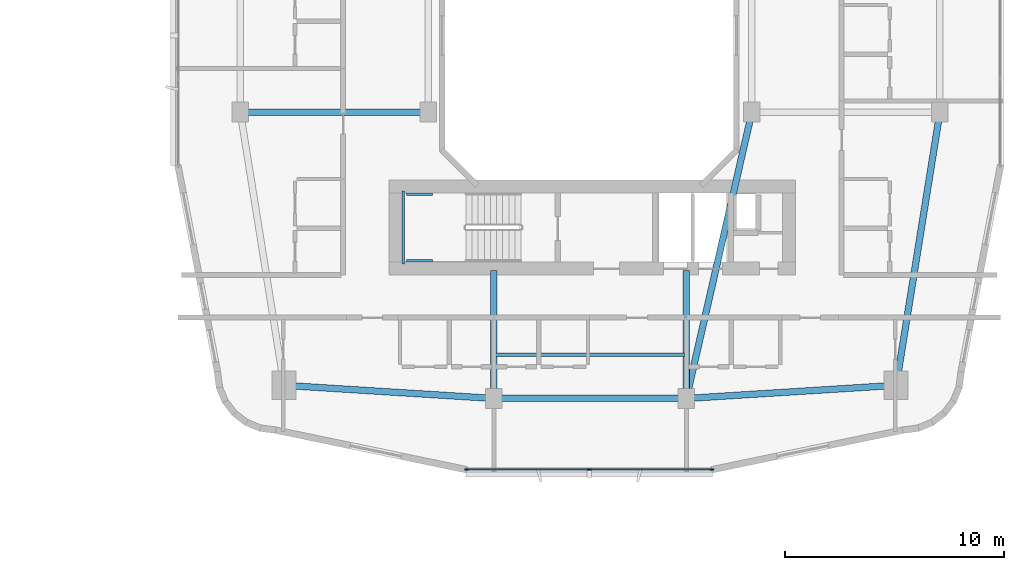
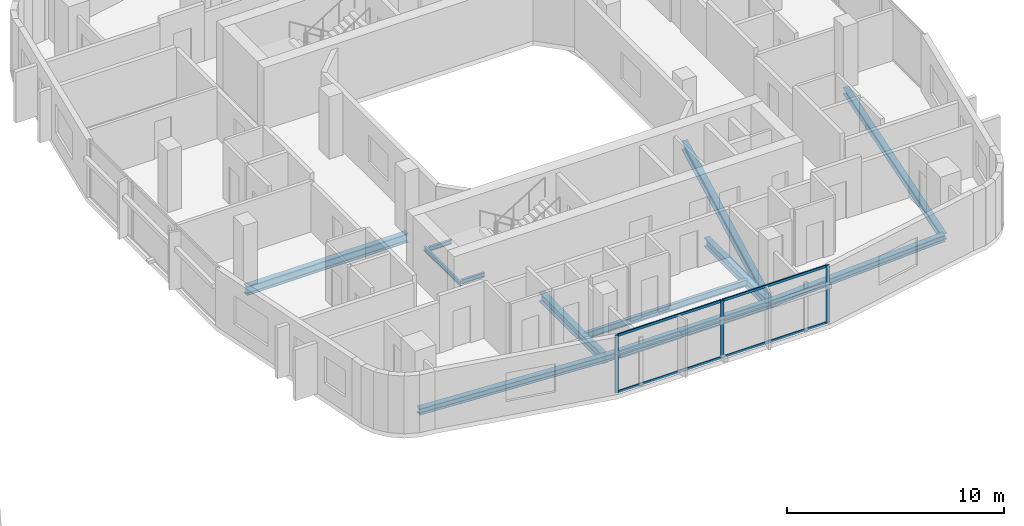
# One storey, part 8 of 27: 12 beams, 7 members, 1 element without a shape of its own.
"""IFC4 building model written with IfcOpenShell, lengths in metres."""

from ifc_helpers import new_model, si_unit, derived_unit, direction, frame, origin, origin_2d, place, context, subcontext, project, spatial, rectangle, i_section, extrude, material, layer, layer_set, material_profile, profile_set, type_object, element, aggregate, save


model = new_model("IFC4")

# Units and contexts
model_context = context("Model", 3, precision=1e-05, world=origin(), true_north=direction((0.0, 1.0)))
body_context = subcontext(model_context, "Body", "Model", "MODEL_VIEW")
ifc_project = project(units=[si_unit("LENGTHUNIT", "METRE"), si_unit("AREAUNIT", "SQUARE_METRE"), si_unit("VOLUMEUNIT", "CUBIC_METRE"), si_unit("PLANEANGLEUNIT", "RADIAN"), si_unit("MASSUNIT", "GRAM", prefix="KILO"), derived_unit("THERMALTRANSMITTANCEUNIT", [(si_unit("POWERUNIT", "WATT"), 1), (si_unit("LENGTHUNIT", "METRE"), -2), (si_unit("THERMODYNAMICTEMPERATUREUNIT", "KELVIN"), -1)])], contexts=[model_context])

# Site, building, storey
site_placement = place(None, origin())
site = spatial("IfcSite", under=ifc_project, at=site_placement, CompositionType="ELEMENT")
building_placement = place(site_placement, origin())
building = spatial("IfcBuilding", under=site, at=building_placement, Name="Kivonza Crest Hotel", CompositionType="ELEMENT")
storey_placement = place(building_placement, frame((0.0, 0.0, 38.0)))
storey = spatial("IfcBuildingStorey", under=building, at=storey_placement, Name="L09", CompositionType="ELEMENT", Elevation=38.0)

# Beams
ifc_material_1 = material(Name="Steel S355", Category="steel")
ifc_material_profile_1 = material_profile(ifc_material_1, i_section(OverallWidth=0.300048828125, OverallDepth=0.360107421875, WebThickness=0.012451171875, FlangeThickness=0.0224609375, FilletRadius=0.027099609375, at=origin_2d()), Name="HEB 360")
ifc_profile_set_1 = profile_set([ifc_material_profile_1], Name="Steel S355")
beam_type_1 = type_object("IfcBeamType", Name="BM-HEB360", PredefinedType="SPANDREL", material=ifc_profile_set_1)
beam_1_placement = place(storey_placement, frame((72.60009765625, 8.39990234375, -0.429931640625), z_axis=(1.0, 0.0, 0.0), x_axis=(0.0, 1.0, 0.0)))
element("IfcBeam", 1, at=beam_1_placement, inside=storey, type_object=beam_type_1, Name="Companion Tower T2 L09 perimeter spandrel S1-S2", PredefinedType="SPANDREL", context=body_context, shape_type="SweptSolid", body=[
    extrude(i_section(OverallWidth=0.300048828125, OverallDepth=0.360107421875, WebThickness=0.012451171875, FlangeThickness=0.0224609375, FilletRadius=0.027099609375, at=origin_2d()), origin(), (0.0, 0.0, 1.0), 8.7998046875),
])
beam_2_placement = place(storey_placement, frame((81.39990234375, 8.39990234375, -0.429931640625), z_axis=(0.998051985873, 0.062387767186, 0.0), x_axis=(-0.062387767186, 0.998051985873, 0.0)))
element("IfcBeam", 2, at=beam_2_placement, inside=storey, type_object=beam_type_1, Name="Companion Tower T2 L09 perimeter spandrel S2-SE", PredefinedType="SPANDREL", context=body_context, shape_type="SweptSolid", body=[
    extrude(i_section(OverallWidth=0.300048828125, OverallDepth=0.360107421875, WebThickness=0.012451171875, FlangeThickness=0.0224609375, FilletRadius=0.027099609375, at=origin_2d()), origin(), (0.0, 0.0, 1.0), 9.618896484375),
])
beam_3_placement = place(storey_placement, frame((91.0, 9.0, -0.429931640625), z_axis=(0.157990501107, 0.987440631917, 0.0), x_axis=(-0.987440631917, 0.157990501107, 0.0)))
element("IfcBeam", 3, at=beam_3_placement, inside=storey, type_object=beam_type_1, Name="Companion Tower T2 L09 perimeter spandrel SE-E1", PredefinedType="SPANDREL", context=body_context, shape_type="SweptSolid", body=[
    extrude(i_section(OverallWidth=0.300048828125, OverallDepth=0.360107421875, WebThickness=0.012451171875, FlangeThickness=0.0224609375, FilletRadius=0.027099609375, at=origin_2d()), origin(), (0.0, 0.0, 1.0), 12.658935546875),
])
beam_4_placement = place(storey_placement, frame((63.0, 9.0, -0.429931640625), z_axis=(0.998051985873, -0.062387767186, 0.0), x_axis=(0.062387767186, 0.998051985873, 0.0)))
element("IfcBeam", 4, at=beam_4_placement, inside=storey, type_object=beam_type_1, Name="Companion Tower T2 L09 perimeter spandrel SW-S1", PredefinedType="SPANDREL", context=body_context, shape_type="SweptSolid", body=[
    extrude(i_section(OverallWidth=0.300048828125, OverallDepth=0.360107421875, WebThickness=0.012451171875, FlangeThickness=0.0224609375, FilletRadius=0.027099609375, at=origin_2d()), origin(), (0.0, 0.0, 1.0), 9.618896484375),
])
ifc_material_profile_2 = material_profile(ifc_material_1, i_section(OverallWidth=0.300048828125, OverallDepth=0.5, WebThickness=0.014404296875, FlangeThickness=0.028076171875, FilletRadius=0.027099609375, at=origin_2d()), Name="HEB 500")
ifc_profile_set_2 = profile_set([ifc_material_profile_2], Name="Steel S355")
beam_type_2 = type_object("IfcBeamType", Name="BM-HEB500", PredefinedType="BEAM", material=ifc_profile_set_2)
beam_5_placement = place(storey_placement, frame((61.0, 21.5, -0.5), z_axis=(1.0, 0.0, 0.0), x_axis=(0.0, 1.0, 0.0)))
element("IfcBeam", 5, at=beam_5_placement, inside=storey, type_object=beam_type_2, Name="Companion Tower T2 L09 girder W1-WL1", PredefinedType="BEAM", context=body_context, shape_type="SweptSolid", body=[
    extrude(i_section(OverallWidth=0.300048828125, OverallDepth=0.5, WebThickness=0.014404296875, FlangeThickness=0.028076171875, FilletRadius=0.027099609375, at=origin_2d()), origin(), (0.0, 0.0, 1.0), 8.60009765625),
])
beam_6_placement = place(storey_placement, frame((84.39990234375, 21.5, -0.5), z_axis=(-0.223227287589, -0.974766422317, 0.0), x_axis=(0.974766422317, -0.223227287589, 0.0)))
element("IfcBeam", 6, at=beam_6_placement, inside=storey, type_object=beam_type_2, Name="Companion Tower T2 L09 girder WR1-S2", PredefinedType="BEAM", context=body_context, shape_type="SweptSolid", body=[
    extrude(i_section(OverallWidth=0.300048828125, OverallDepth=0.5, WebThickness=0.014404296875, FlangeThickness=0.028076171875, FilletRadius=0.027099609375, at=origin_2d()), origin(), (0.0, 0.0, 1.0), 13.439208984375),
])
for number, where, z_axis, x_axis, name in (
    (7, (72.60009765625, 8.39990234375, -0.5), (0.0, 1.0, 0.0), (-1.0, 0.0, 0.0), "Companion T2 L09 radial core girder RS1"),
    (8, (81.39990234375, 8.39990234375, -0.5), (0.0, 1.0, 0.0), (-1.0, 0.0, 0.0), "Companion T2 L09 radial core girder RS2"),
):
    element("IfcBeam", number, at=place(storey_placement, frame(where, z_axis=z_axis, x_axis=x_axis)), inside=storey, type_object=beam_type_2, Name=name, PredefinedType="BEAM", context=body_context, shape_type="SweptSolid", body=[
        extrude(i_section(OverallWidth=0.300048828125, OverallDepth=0.5, WebThickness=0.014404296875, FlangeThickness=0.028076171875, FilletRadius=0.027099609375, at=origin_2d()), origin(), (0.0, 0.0, 1.0), 5.85009765625),
    ])
ifc_material_profile_3 = material_profile(ifc_material_1, i_section(OverallWidth=0.169921875, OverallDepth=0.360107421875, WebThickness=0.008056640625, FlangeThickness=0.0126953125, FilletRadius=0.01806640625, at=origin_2d()), Name="IPE 360")
ifc_profile_set_3 = profile_set([ifc_material_profile_3], Name="Steel S355")
beam_type_3 = type_object("IfcBeamType", Name="BM-IPE360", PredefinedType="JOIST", material=ifc_profile_set_3)
beam_7_placement = place(storey_placement, frame((72.679931640625, 10.39990234375, -0.429931640625), z_axis=(1.0, 0.0, 0.0), x_axis=(0.0, 1.0, 0.0)))
element("IfcBeam", 9, at=beam_7_placement, inside=storey, type_object=beam_type_3, Name="Companion Tower T2 L09 South floor joist", PredefinedType="JOIST", context=body_context, shape_type="SweptSolid", body=[
    extrude(i_section(OverallWidth=0.169921875, OverallDepth=0.360107421875, WebThickness=0.008056640625, FlangeThickness=0.0126953125, FilletRadius=0.01806640625, at=origin_2d()), origin(), (0.0, 0.0, 1.0), 8.64013671875),
])
ifc_material_profile_4 = material_profile(ifc_material_1, i_section(OverallWidth=0.1201171875, OverallDepth=0.239990234375, WebThickness=0.006103515625, FlangeThickness=0.009765625, FilletRadius=0.014892578125, at=origin_2d()), Name="IPE 240")
ifc_profile_set_4 = profile_set([ifc_material_profile_4], Name="Steel S355")
beam_type_4 = type_object("IfcBeamType", Name="BM-LLDG-240", PredefinedType="BEAM", material=ifc_profile_set_4)
beam_8_placement = place(storey_placement, frame((68.4599609375, 14.5400390625, 1.429931640625), z_axis=(0.0, 1.0, 0.0), x_axis=(-1.0, 0.0, 0.0)))
element("IfcBeam", 10, at=beam_8_placement, inside=storey, type_object=beam_type_4, Name="Stair ST-T2-S L09 West landing corbel", PredefinedType="BEAM", context=body_context, shape_type="SweptSolid", body=[
    extrude(i_section(OverallWidth=0.1201171875, OverallDepth=0.239990234375, WebThickness=0.006103515625, FlangeThickness=0.009765625, FilletRadius=0.014892578125, at=origin_2d()), origin(), (0.0, 0.0, 1.0), 3.35986328125),
])
for number, where, z_axis, x_axis, name in (
    (11, (68.590087890625, 14.699951171875, 1.429931640625), (1.0, 0.0, 0.0), (0.0, 1.0, 0.0), "Stair ST-T2-S L09 South landing corbel"),
    (12, (68.590087890625, 17.739990234375, 1.429931640625), (1.0, 0.0, 0.0), (0.0, 1.0, 0.0), "Stair ST-T2-S L09 North landing corbel"),
):
    element("IfcBeam", number, at=place(storey_placement, frame(where, z_axis=z_axis, x_axis=x_axis)), inside=storey, type_object=beam_type_4, Name=name, PredefinedType="BEAM", context=body_context, shape_type="SweptSolid", body=[
        extrude(i_section(OverallWidth=0.1201171875, OverallDepth=0.239990234375, WebThickness=0.006103515625, FlangeThickness=0.009765625, FilletRadius=0.014892578125, at=origin_2d()), origin(), (0.0, 0.0, 1.0), 1.2099609375),
    ])

# Curtain wall, members
ifc_material_2 = material(Name="Anodised bronze aluminium and low-E double glazing", Category="aluminium")
ifc_layer = layer(ifc_material_2, 0.179931640625)
ifc_layer_set = layer_set([ifc_layer], Name="Anodised bronze aluminium and low-E double glazing")
curtain_wall_type = type_object("IfcCurtainWallType", Name="CW-SYS-4", PredefinedType="NOTDEFINED", material=ifc_layer_set)
curtain_wall_placement = place(storey_placement, origin())
curtain_wall = element("IfcCurtainWall", 13, at=curtain_wall_placement, inside=storey, type_object=curtain_wall_type, Name="L09 unitised curtain wall CW-T2-L09-08", PredefinedType="NOTDEFINED")
ifc_material_3 = material(Name="Anodised bronze aluminium", Category="aluminium")
ifc_material_profile_5 = material_profile(ifc_material_3, rectangle(XDim=0.06494140625, YDim=0.179931640625, at=origin_2d()), Name="CW-M 65x180")
ifc_profile_set_5 = profile_set([ifc_material_profile_5], Name="Anodised bronze aluminium")
member_type_1 = type_object("IfcMemberType", Name="CW-MUL-65x180", PredefinedType="MULLION", material=ifc_profile_set_5)
member_1_placement = place(storey_placement, frame((71.344482421875, 5.159912109375, 0.0), z_axis=(0.0, 0.0, 1.0), x_axis=(0.0, 1.0, 0.0)))
member_1 = element("IfcMember", 14, at=member_1_placement, type_object=member_type_1, Name="CW-4 mullion 1", PredefinedType="MULLION", context=body_context, shape_type="SweptSolid", body=[
    extrude(rectangle(XDim=0.06494140625, YDim=0.179931640625, at=origin_2d()), origin(), (0.0, 0.0, 1.0), 3.25),
])
member_2_placement = place(storey_placement, frame((76.9599609375, 5.159912109375, 0.0), z_axis=(0.0, 0.0, 1.0), x_axis=(0.0, 1.0, 0.0)))
member_2 = element("IfcMember", 15, at=member_2_placement, type_object=member_type_1, Name="CW-4 mullion 2", PredefinedType="MULLION", context=body_context, shape_type="SweptSolid", body=[
    extrude(rectangle(XDim=0.06494140625, YDim=0.179931640625, at=origin_2d()), origin(), (0.0, 0.0, 1.0), 3.25),
])
member_3_placement = place(storey_placement, frame((82.575439453125, 5.159912109375, 0.0), z_axis=(0.0, 0.0, 1.0), x_axis=(0.0, 1.0, 0.0)))
member_3 = element("IfcMember", 16, at=member_3_placement, type_object=member_type_1, Name="CW-4 mullion 3", PredefinedType="MULLION", context=body_context, shape_type="SweptSolid", body=[
    extrude(rectangle(XDim=0.06494140625, YDim=0.179931640625, at=origin_2d()), origin(), (0.0, 0.0, 1.0), 3.25),
])
ifc_material_profile_6 = material_profile(ifc_material_3, rectangle(XDim=0.06494140625, YDim=0.139892578125, at=origin_2d()), Name="CW-T 65x140")
ifc_profile_set_6 = profile_set([ifc_material_profile_6], Name="Anodised bronze aluminium")
member_type_2 = type_object("IfcMemberType", Name="CW-TRN-65x140", PredefinedType="USERDEFINED", material=ifc_profile_set_6)
member_4_placement = place(storey_placement, frame((71.376953125, 5.159912109375, 0.032470703125), z_axis=(1.0, 0.0, 0.0), x_axis=(0.0, 1.0, 0.0)))
member_4 = element("IfcMember", 17, at=member_4_placement, type_object=member_type_2, Name="CW-4 transom 1.1", ObjectType="TRANSOM", PredefinedType="USERDEFINED", context=body_context, shape_type="SweptSolid", body=[
    extrude(rectangle(XDim=0.06494140625, YDim=0.139892578125, at=origin_2d()), origin(), (0.0, 0.0, 1.0), 5.550537109375),
])
member_5_placement = place(storey_placement, frame((71.376953125, 5.159912109375, 3.217529296875), z_axis=(1.0, 0.0, 0.0), x_axis=(0.0, 1.0, 0.0)))
member_5 = element("IfcMember", 18, at=member_5_placement, type_object=member_type_2, Name="CW-4 transom 1.2", ObjectType="TRANSOM", PredefinedType="USERDEFINED", context=body_context, shape_type="SweptSolid", body=[
    extrude(rectangle(XDim=0.06494140625, YDim=0.139892578125, at=origin_2d()), origin(), (0.0, 0.0, 1.0), 5.550537109375),
])
member_6_placement = place(storey_placement, frame((76.992431640625, 5.159912109375, 0.032470703125), z_axis=(1.0, 0.0, 0.0), x_axis=(0.0, 1.0, 0.0)))
member_6 = element("IfcMember", 19, at=member_6_placement, type_object=member_type_2, Name="CW-4 transom 2.1", ObjectType="TRANSOM", PredefinedType="USERDEFINED", context=body_context, shape_type="SweptSolid", body=[
    extrude(rectangle(XDim=0.06494140625, YDim=0.139892578125, at=origin_2d()), origin(), (0.0, 0.0, 1.0), 5.550537109375),
])
member_7_placement = place(storey_placement, frame((76.992431640625, 5.159912109375, 3.217529296875), z_axis=(1.0, 0.0, 0.0), x_axis=(0.0, 1.0, 0.0)))
member_7 = element("IfcMember", 20, at=member_7_placement, type_object=member_type_2, Name="CW-4 transom 2.2", ObjectType="TRANSOM", PredefinedType="USERDEFINED", context=body_context, shape_type="SweptSolid", body=[
    extrude(rectangle(XDim=0.06494140625, YDim=0.139892578125, at=origin_2d()), origin(), (0.0, 0.0, 1.0), 5.550537109375),
])
aggregate(curtain_wall, [member_1, member_2, member_3, member_4, member_5, member_6, member_7])

save(model, "model.ifc")
